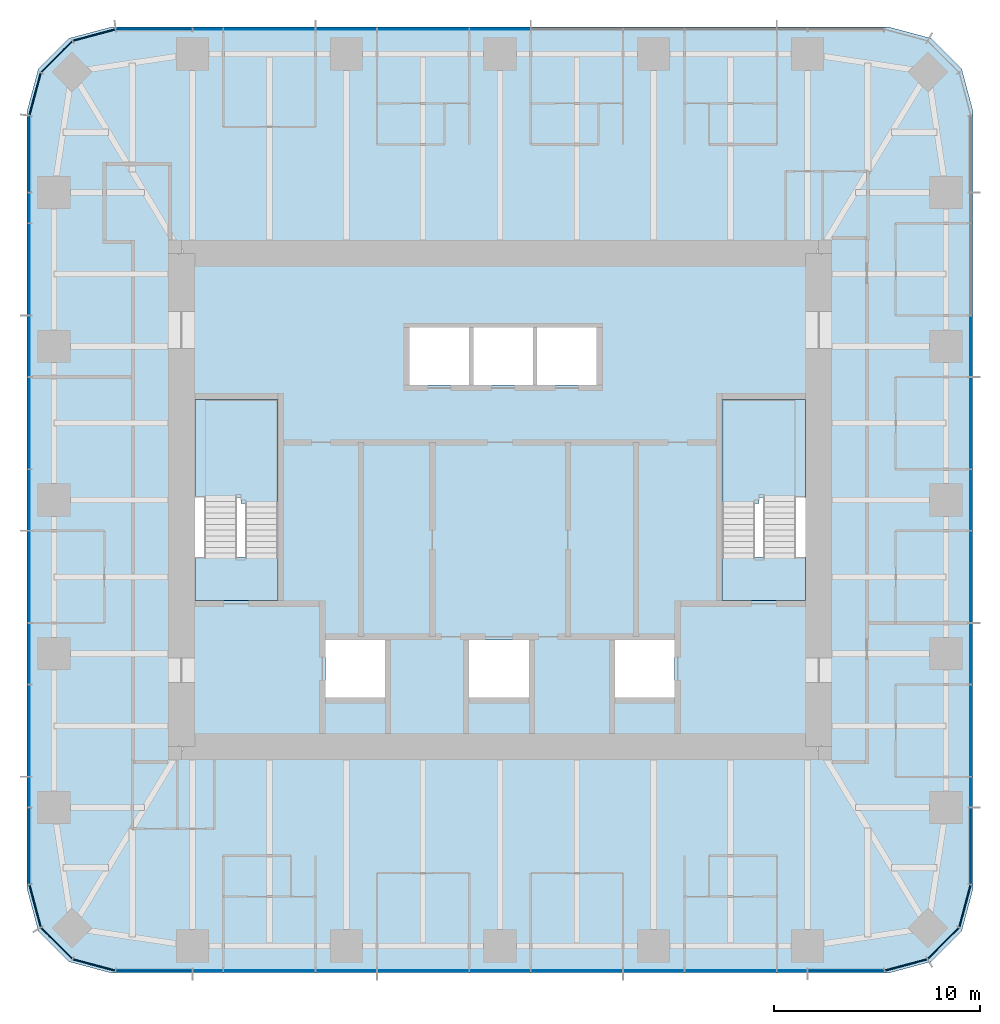
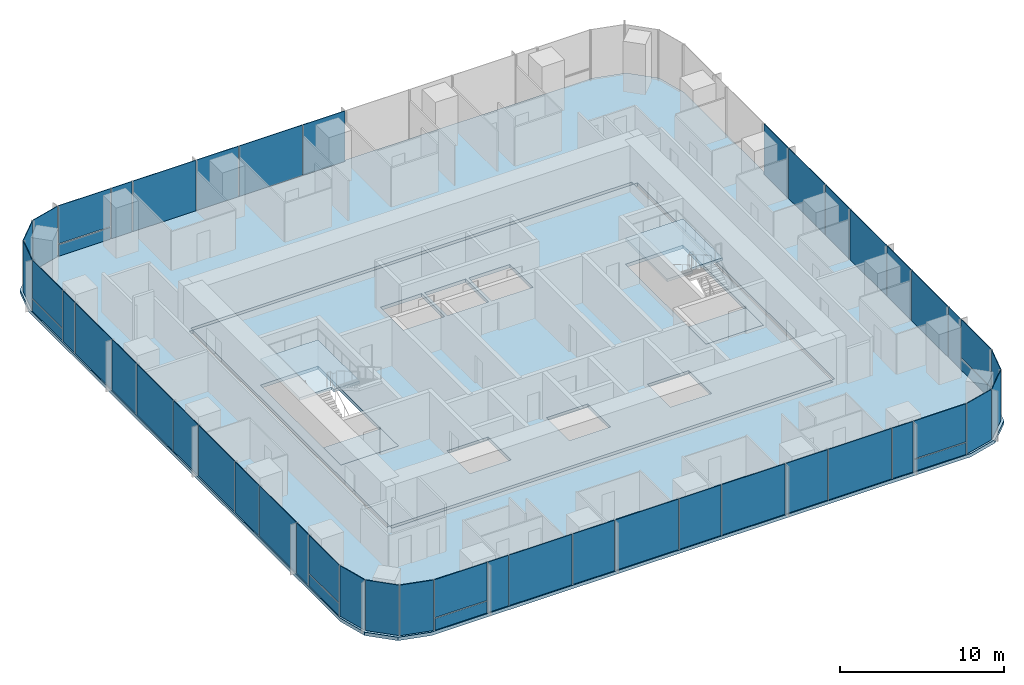
# One storey, part 7 of 12: 51 plates, 6 slabs, 9 elements without a shape of their own.
"""IFC4 building model written with IfcOpenShell, lengths in metres."""

from ifc_helpers import new_model, si_unit, direction, frame, origin, origin_2d, place, context, subcontext, project, spatial, polyline, rectangle, outline, extrude, material, layer, layer_set, type_object, element, aggregate, save


model = new_model("IFC4")

# Units and contexts
model_context = context("Model", 3, precision=1e-05, world=origin(), true_north=direction((0.0, 1.0)))
body_context = subcontext(model_context, "Body", "Model", "MODEL_VIEW")
ifc_project = project(units=[si_unit("LENGTHUNIT", "METRE"), si_unit("AREAUNIT", "SQUARE_METRE"), si_unit("VOLUMEUNIT", "CUBIC_METRE"), si_unit("PLANEANGLEUNIT", "RADIAN"), si_unit("MASSUNIT", "GRAM", prefix="KILO")], contexts=[model_context])

# Site, building, storey
site_placement = place(None, origin())
site = spatial("IfcSite", under=ifc_project, at=site_placement, CompositionType="ELEMENT")
building_placement = place(site_placement, origin())
building = spatial("IfcBuilding", under=site, at=building_placement, Name="Khuree Lantern Residences", CompositionType="ELEMENT")
storey_placement = place(building_placement, frame((0.0, 0.0, 342.0)))
storey = spatial("IfcBuildingStorey", under=building, at=storey_placement, Name="L86", CompositionType="ELEMENT", Elevation=342.0)

# Slab
ifc_material_1 = material(Name="Concrete C35/45", Category="concrete")
ifc_layer_1 = layer(ifc_material_1, 0.25)
ifc_layer_set_1 = layer_set([ifc_layer_1], Name="CFL250 CORE FLOOR SLAB 250")
slab_type_1 = type_object("IfcSlabType", Name="CFL250 CORE FLOOR SLAB 250", PredefinedType="FLOOR", material=ifc_layer_set_1)
slab_1_placement = place(storey_placement, frame((0.0, 0.0, -0.25)))
element("IfcSlab", 1, at=slab_1_placement, inside=storey, type_object=slab_type_1, Name="Core floor L86", PredefinedType="FLOOR", context=body_context, shape_type="SweptSolid", body=[
    extrude(outline(polyline([(-15.5, -12.0), (-15.5, 12.0), (15.5, 12.0), (15.5, -12.0), (-15.5, -12.0)]), holes=[polyline([(10.800048828125, 4.89990234375), (10.800048828125, -4.89990234375), (14.85009765625, -4.89990234375), (14.85009765625, 4.89990234375), (10.800048828125, 4.89990234375)]), polyline([(5.60009765625, -6.800048828125), (5.60009765625, -9.60009765625), (8.5, -9.60009765625), (8.5, -6.800048828125), (5.60009765625, -6.800048828125)]), polyline([(1.800048828125, 8.39990234375), (1.800048828125, 5.60009765625), (4.699951171875, 5.60009765625), (4.699951171875, 8.39990234375), (1.800048828125, 8.39990234375)]), polyline([(-1.300048828125, 8.39990234375), (-1.300048828125, 5.60009765625), (1.60009765625, 5.60009765625), (1.60009765625, 8.39990234375), (-1.300048828125, 8.39990234375)]), polyline([(-1.5, -6.800048828125), (-1.5, -9.60009765625), (1.39990234375, -9.60009765625), (1.39990234375, -6.800048828125), (-1.5, -6.800048828125)]), polyline([(-4.39990234375, 8.39990234375), (-4.39990234375, 5.60009765625), (-1.5, 5.60009765625), (-1.5, 8.39990234375), (-4.39990234375, 8.39990234375)]), polyline([(-8.5, -6.800048828125), (-8.5, -9.60009765625), (-5.60009765625, -9.60009765625), (-5.60009765625, -6.800048828125), (-8.5, -6.800048828125)]), polyline([(-14.85009765625, 4.89990234375), (-14.85009765625, -4.89990234375), (-10.800048828125, -4.89990234375), (-10.800048828125, 4.89990234375), (-14.85009765625, 4.89990234375)])]), origin(), (0.0, 0.0, 1.0), 0.25),
])

# Curtain wall, plates
ifc_material_2 = material(Name="Bronze anodised aluminium", Category="aluminium")
curtain_wall_type_1 = type_object("IfcCurtainWallType", Name="CW-T2 TOWER CORNER CURTAIN WALL", PredefinedType="USERDEFINED", material=ifc_material_2)
curtain_wall_1_placement = place(storey_placement, origin())
curtain_wall_1 = element("IfcCurtainWall", 2, at=curtain_wall_1_placement, inside=storey, type_object=curtain_wall_type_1, Name="L86 SOUTH-EAST CORNER CURTAIN WALL", ObjectType="Faceted corner curtain wall", PredefinedType="USERDEFINED")
ifc_material_3 = material(Name="Bronze tinted triple glazing", Category="glass")
ifc_layer_2 = layer(ifc_material_3, 0.048095703125)
ifc_layer_set_2 = layer_set([ifc_layer_2], Name="FACET PANEL P4")
plate_type_1 = type_object("IfcPlateType", Name="FACET PANEL P4", PredefinedType="CURTAIN_PANEL", material=ifc_layer_set_2)
plate_1_placement = place(storey_placement, frame((19.748046875, -22.619140625, 0.0), z_axis=(0.0, 0.0, 1.0), x_axis=(0.965925861257, 0.2588189146, 0.0)))
plate_1 = element("IfcPlate", 3, at=plate_1_placement, type_object=plate_type_1, Name="L86 SOUTH-EAST CORNER PANEL 1.1", PredefinedType="CURTAIN_PANEL", context=body_context, shape_type="SweptSolid", body=[
    extrude(rectangle(XDim=2.09814453125, YDim=0.048095703125, at=origin_2d()), origin(), (0.0, 0.0, 1.0), 3.75),
])
plate_2_placement = place(storey_placement, frame((21.568603515625, -21.568603515625, 0.0), z_axis=(0.0, 0.0, 1.0), x_axis=(0.707106781187, 0.707106781187, 0.0)))
plate_2 = element("IfcPlate", 4, at=plate_2_placement, type_object=plate_type_1, Name="L86 SOUTH-EAST CORNER PANEL 2.1", PredefinedType="CURTAIN_PANEL", context=body_context, shape_type="SweptSolid", body=[
    extrude(rectangle(XDim=2.093994140625, YDim=0.048095703125, at=origin_2d()), origin(), (0.0, 0.0, 1.0), 3.75),
])
plate_3_placement = place(storey_placement, frame((22.619140625, -19.748046875, 0.0), z_axis=(0.0, 0.0, 1.0), x_axis=(0.2588189146, 0.965925861257, 0.0)))
plate_3 = element("IfcPlate", 5, at=plate_3_placement, type_object=plate_type_1, Name="L86 SOUTH-EAST CORNER PANEL 3.1", PredefinedType="CURTAIN_PANEL", context=body_context, shape_type="SweptSolid", body=[
    extrude(rectangle(XDim=2.09814453125, YDim=0.048095703125, at=origin_2d()), origin(), (0.0, 0.0, 1.0), 3.75),
])
aggregate(curtain_wall_1, [plate_1, plate_2, plate_3])

curtain_wall_2_placement = place(storey_placement, origin())
curtain_wall_2 = element("IfcCurtainWall", 6, at=curtain_wall_2_placement, inside=storey, type_object=curtain_wall_type_1, Name="L86 NORTH-WEST CORNER CURTAIN WALL", ObjectType="Faceted corner curtain wall", PredefinedType="USERDEFINED")
plate_4_placement = place(storey_placement, frame((-19.748046875, 22.619140625, 0.0), z_axis=(0.0, 0.0, 1.0), x_axis=(-0.965925861257, -0.2588189146, 0.0)))
plate_4 = element("IfcPlate", 7, at=plate_4_placement, type_object=plate_type_1, Name="L86 NORTH-WEST CORNER PANEL 29.1", PredefinedType="CURTAIN_PANEL", context=body_context, shape_type="SweptSolid", body=[
    extrude(rectangle(XDim=2.09814453125, YDim=0.048095703125, at=origin_2d()), origin(), (0.0, 0.0, 1.0), 3.75),
])
plate_5_placement = place(storey_placement, frame((-21.568603515625, 21.568603515625, 0.0), z_axis=(0.0, 0.0, 1.0), x_axis=(-0.707106781187, -0.707106781187, 0.0)))
plate_5 = element("IfcPlate", 8, at=plate_5_placement, type_object=plate_type_1, Name="L86 NORTH-WEST CORNER PANEL 30.1", PredefinedType="CURTAIN_PANEL", context=body_context, shape_type="SweptSolid", body=[
    extrude(rectangle(XDim=2.093994140625, YDim=0.048095703125, at=origin_2d()), origin(), (0.0, 0.0, 1.0), 3.75),
])
plate_6_placement = place(storey_placement, frame((-22.619140625, 19.748046875, 0.0), z_axis=(0.0, 0.0, 1.0), x_axis=(-0.2588189146, -0.965925861257, 0.0)))
plate_6 = element("IfcPlate", 9, at=plate_6_placement, type_object=plate_type_1, Name="L86 NORTH-WEST CORNER PANEL 31.1", PredefinedType="CURTAIN_PANEL", context=body_context, shape_type="SweptSolid", body=[
    extrude(rectangle(XDim=2.09814453125, YDim=0.048095703125, at=origin_2d()), origin(), (0.0, 0.0, 1.0), 3.75),
])
aggregate(curtain_wall_2, [plate_4, plate_5, plate_6])

curtain_wall_3_placement = place(storey_placement, origin())
curtain_wall_3 = element("IfcCurtainWall", 10, at=curtain_wall_3_placement, inside=storey, type_object=curtain_wall_type_1, Name="L86 SOUTH-WEST CORNER CURTAIN WALL", ObjectType="Faceted corner curtain wall", PredefinedType="USERDEFINED")
plate_7_placement = place(storey_placement, frame((-22.619140625, -19.748046875, 0.0), z_axis=(0.0, 0.0, 1.0), x_axis=(0.2588189146, -0.965925861257, 0.0)))
plate_7 = element("IfcPlate", 11, at=plate_7_placement, type_object=plate_type_1, Name="L86 SOUTH-WEST CORNER PANEL 43.1", PredefinedType="CURTAIN_PANEL", context=body_context, shape_type="SweptSolid", body=[
    extrude(rectangle(XDim=2.09814453125, YDim=0.048095703125, at=origin_2d()), origin(), (0.0, 0.0, 1.0), 3.75),
])
plate_8_placement = place(storey_placement, frame((-21.568603515625, -21.568603515625, 0.0), z_axis=(0.0, 0.0, 1.0), x_axis=(0.707106781187, -0.707106781187, 0.0)))
plate_8 = element("IfcPlate", 12, at=plate_8_placement, type_object=plate_type_1, Name="L86 SOUTH-WEST CORNER PANEL 44.1", PredefinedType="CURTAIN_PANEL", context=body_context, shape_type="SweptSolid", body=[
    extrude(rectangle(XDim=2.093994140625, YDim=0.048095703125, at=origin_2d()), origin(), (0.0, 0.0, 1.0), 3.75),
])
plate_9_placement = place(storey_placement, frame((-19.748046875, -22.619140625, 0.0), z_axis=(0.0, 0.0, 1.0), x_axis=(0.965925861257, -0.2588189146, 0.0)))
plate_9 = element("IfcPlate", 13, at=plate_9_placement, type_object=plate_type_1, Name="L86 SOUTH-WEST CORNER PANEL 45.1", PredefinedType="CURTAIN_PANEL", context=body_context, shape_type="SweptSolid", body=[
    extrude(rectangle(XDim=2.09814453125, YDim=0.048095703125, at=origin_2d()), origin(), (0.0, 0.0, 1.0), 3.75),
])
aggregate(curtain_wall_3, [plate_7, plate_8, plate_9])

curtain_wall_type_2 = type_object("IfcCurtainWallType", Name="CW-T1 TOWER FACE CURTAIN WALL", PredefinedType="USERDEFINED", material=ifc_material_2)
curtain_wall_4_placement = place(storey_placement, origin())
curtain_wall_4 = element("IfcCurtainWall", 14, at=curtain_wall_4_placement, inside=storey, type_object=curtain_wall_type_2, Name="L86 EAST FACE CURTAIN WALL", ObjectType="Stick-built curtain wall", PredefinedType="USERDEFINED")
ifc_material_4 = material(Name="Bronze tinted triple glazing with a ceramic-fritted spandrel band", Category="glass")
ifc_layer_3 = layer(ifc_material_4, 0.048095703125)
ifc_layer_set_3 = layer_set([ifc_layer_3], Name="FIXED LIGHT PANEL P11")
plate_type_2 = type_object("IfcPlateType", Name="FIXED LIGHT PANEL P11", PredefinedType="CURTAIN_PANEL", material=ifc_layer_set_3)
plate_10_placement = place(storey_placement, frame((22.89990234375, -11.219970703125, 0.0), z_axis=(0.0, 0.0, 1.0), x_axis=(0.0, 1.0, 0.0)))
plate_10 = element("IfcPlate", 15, at=plate_10_placement, type_object=plate_type_2, Name="L86 EAST FACE PANEL 6.1", PredefinedType="CURTAIN_PANEL", context=body_context, shape_type="SweptSolid", body=[
    extrude(rectangle(XDim=4.423095703125, YDim=0.048095703125, at=origin_2d()), origin(), (0.0, 0.0, 1.0), 3.75),
])
plate_11_placement = place(storey_placement, frame((22.89990234375, -3.739990234375, 0.0), z_axis=(0.0, 0.0, 1.0), x_axis=(0.0, 1.0, 0.0)))
plate_11 = element("IfcPlate", 16, at=plate_11_placement, type_object=plate_type_2, Name="L86 EAST FACE PANEL 8.1", PredefinedType="CURTAIN_PANEL", context=body_context, shape_type="SweptSolid", body=[
    extrude(rectangle(XDim=4.423095703125, YDim=0.048095703125, at=origin_2d()), origin(), (0.0, 0.0, 1.0), 3.75),
])
plate_12_placement = place(storey_placement, frame((22.89990234375, 3.739990234375, 0.0), z_axis=(0.0, 0.0, 1.0), x_axis=(0.0, 1.0, 0.0)))
plate_12 = element("IfcPlate", 17, at=plate_12_placement, type_object=plate_type_2, Name="L86 EAST FACE PANEL 10.1", PredefinedType="CURTAIN_PANEL", context=body_context, shape_type="SweptSolid", body=[
    extrude(rectangle(XDim=4.423095703125, YDim=0.048095703125, at=origin_2d()), origin(), (0.0, 0.0, 1.0), 3.75),
])

curtain_wall_5_placement = place(storey_placement, origin())
curtain_wall_5 = element("IfcCurtainWall", 18, at=curtain_wall_5_placement, inside=storey, type_object=curtain_wall_type_2, Name="L86 NORTH FACE CURTAIN WALL", ObjectType="Stick-built curtain wall", PredefinedType="USERDEFINED")
plate_13_placement = place(storey_placement, frame((-3.739990234375, 22.89990234375, 0.0), z_axis=(0.0, 0.0, 1.0), x_axis=(-1.0, 0.0, 0.0)))
plate_13 = element("IfcPlate", 19, at=plate_13_placement, type_object=plate_type_2, Name="L86 NORTH FACE PANEL 24.1", PredefinedType="CURTAIN_PANEL", context=body_context, shape_type="SweptSolid", body=[
    extrude(rectangle(XDim=4.423095703125, YDim=0.048095703125, at=origin_2d()), origin(), (0.0, 0.0, 1.0), 3.75),
])
plate_14_placement = place(storey_placement, frame((-11.219970703125, 22.89990234375, 0.0), z_axis=(0.0, 0.0, 1.0), x_axis=(-1.0, 0.0, 0.0)))
plate_14 = element("IfcPlate", 20, at=plate_14_placement, type_object=plate_type_2, Name="L86 NORTH FACE PANEL 26.1", PredefinedType="CURTAIN_PANEL", context=body_context, shape_type="SweptSolid", body=[
    extrude(rectangle(XDim=4.423095703125, YDim=0.048095703125, at=origin_2d()), origin(), (0.0, 0.0, 1.0), 3.75),
])

curtain_wall_6_placement = place(storey_placement, origin())
curtain_wall_6 = element("IfcCurtainWall", 21, at=curtain_wall_6_placement, inside=storey, type_object=curtain_wall_type_2, Name="L86 WEST FACE CURTAIN WALL", ObjectType="Stick-built curtain wall", PredefinedType="USERDEFINED")
plate_15_placement = place(storey_placement, frame((-22.89990234375, 11.219970703125, 0.0), z_axis=(0.0, 0.0, 1.0), x_axis=(0.0, -1.0, 0.0)))
plate_15 = element("IfcPlate", 22, at=plate_15_placement, type_object=plate_type_2, Name="L86 WEST FACE PANEL 34.1", PredefinedType="CURTAIN_PANEL", context=body_context, shape_type="SweptSolid", body=[
    extrude(rectangle(XDim=4.423095703125, YDim=0.048095703125, at=origin_2d()), origin(), (0.0, 0.0, 1.0), 3.75),
])
plate_16_placement = place(storey_placement, frame((-22.89990234375, 3.739990234375, 0.0), z_axis=(0.0, 0.0, 1.0), x_axis=(0.0, -1.0, 0.0)))
plate_16 = element("IfcPlate", 23, at=plate_16_placement, type_object=plate_type_2, Name="L86 WEST FACE PANEL 36.1", PredefinedType="CURTAIN_PANEL", context=body_context, shape_type="SweptSolid", body=[
    extrude(rectangle(XDim=4.423095703125, YDim=0.048095703125, at=origin_2d()), origin(), (0.0, 0.0, 1.0), 3.75),
])
plate_17_placement = place(storey_placement, frame((-22.89990234375, -3.739990234375, 0.0), z_axis=(0.0, 0.0, 1.0), x_axis=(0.0, -1.0, 0.0)))
plate_17 = element("IfcPlate", 24, at=plate_17_placement, type_object=plate_type_2, Name="L86 WEST FACE PANEL 38.1", PredefinedType="CURTAIN_PANEL", context=body_context, shape_type="SweptSolid", body=[
    extrude(rectangle(XDim=4.423095703125, YDim=0.048095703125, at=origin_2d()), origin(), (0.0, 0.0, 1.0), 3.75),
])
plate_18_placement = place(storey_placement, frame((-22.89990234375, -11.219970703125, 0.0), z_axis=(0.0, 0.0, 1.0), x_axis=(0.0, -1.0, 0.0)))
plate_18 = element("IfcPlate", 25, at=plate_18_placement, type_object=plate_type_2, Name="L86 WEST FACE PANEL 40.1", PredefinedType="CURTAIN_PANEL", context=body_context, shape_type="SweptSolid", body=[
    extrude(rectangle(XDim=4.423095703125, YDim=0.048095703125, at=origin_2d()), origin(), (0.0, 0.0, 1.0), 3.75),
])

curtain_wall_7_placement = place(storey_placement, origin())
curtain_wall_7 = element("IfcCurtainWall", 26, at=curtain_wall_7_placement, inside=storey, type_object=curtain_wall_type_2, Name="L86 SOUTH FACE CURTAIN WALL", ObjectType="Stick-built curtain wall", PredefinedType="USERDEFINED")
plate_19_placement = place(storey_placement, frame((-11.219970703125, -22.89990234375, 0.0), z_axis=(0.0, 0.0, 1.0), x_axis=(1.0, 0.0, 0.0)))
plate_19 = element("IfcPlate", 27, at=plate_19_placement, type_object=plate_type_2, Name="L86 SOUTH FACE PANEL 48.1", PredefinedType="CURTAIN_PANEL", context=body_context, shape_type="SweptSolid", body=[
    extrude(rectangle(XDim=4.423095703125, YDim=0.048095703125, at=origin_2d()), origin(), (0.0, 0.0, 1.0), 3.75),
])
plate_20_placement = place(storey_placement, frame((-3.739990234375, -22.89990234375, 0.0), z_axis=(0.0, 0.0, 1.0), x_axis=(1.0, 0.0, 0.0)))
plate_20 = element("IfcPlate", 28, at=plate_20_placement, type_object=plate_type_2, Name="L86 SOUTH FACE PANEL 50.1", PredefinedType="CURTAIN_PANEL", context=body_context, shape_type="SweptSolid", body=[
    extrude(rectangle(XDim=4.423095703125, YDim=0.048095703125, at=origin_2d()), origin(), (0.0, 0.0, 1.0), 3.75),
])
plate_21_placement = place(storey_placement, frame((3.739990234375, -22.89990234375, 0.0), z_axis=(0.0, 0.0, 1.0), x_axis=(1.0, 0.0, 0.0)))
plate_21 = element("IfcPlate", 29, at=plate_21_placement, type_object=plate_type_2, Name="L86 SOUTH FACE PANEL 52.1", PredefinedType="CURTAIN_PANEL", context=body_context, shape_type="SweptSolid", body=[
    extrude(rectangle(XDim=4.423095703125, YDim=0.048095703125, at=origin_2d()), origin(), (0.0, 0.0, 1.0), 3.75),
])
plate_22_placement = place(storey_placement, frame((11.219970703125, -22.89990234375, 0.0), z_axis=(0.0, 0.0, 1.0), x_axis=(1.0, 0.0, 0.0)))
plate_22 = element("IfcPlate", 30, at=plate_22_placement, type_object=plate_type_2, Name="L86 SOUTH FACE PANEL 54.1", PredefinedType="CURTAIN_PANEL", context=body_context, shape_type="SweptSolid", body=[
    extrude(rectangle(XDim=4.423095703125, YDim=0.048095703125, at=origin_2d()), origin(), (0.0, 0.0, 1.0), 3.75),
])

# Slab
ifc_layer_4 = layer(ifc_material_1, 0.25)
ifc_layer_set_4 = layer_set([ifc_layer_4], Name="FS250 FLOOR SLAB 250")
slab_type_2 = type_object("IfcSlabType", Name="FS250 FLOOR SLAB 250", PredefinedType="FLOOR", material=ifc_layer_set_4)
slab_2_placement = place(storey_placement, frame((0.0, 0.0, -0.25)))
element("IfcSlab", 31, at=slab_2_placement, inside=storey, type_object=slab_type_2, Name="Floor slab L86", PredefinedType="FLOOR", context=body_context, shape_type="SweptSolid", body=[
    extrude(outline(polyline([(-20.97509765625, -22.45751953125), (-22.45751953125, -20.97509765625), (-23.0, -18.949951171875), (-23.0, 18.949951171875), (-22.45751953125, 20.97509765625), (-20.97509765625, 22.45751953125), (-18.949951171875, 23.0), (18.949951171875, 23.0), (20.97509765625, 22.45751953125), (22.45751953125, 20.97509765625), (23.0, 18.949951171875), (23.0, -18.949951171875), (22.45751953125, -20.97509765625), (20.97509765625, -22.45751953125), (18.949951171875, -23.0), (-18.949951171875, -23.0), (-20.97509765625, -22.45751953125)]), holes=[polyline([(15.75, 12.0), (15.5, 12.0), (15.5, 12.25), (-15.5, 12.25), (-15.5, 12.0), (-15.75, 12.0), (-15.75, -12.0), (-15.5, -12.0), (-15.5, -12.25), (15.5, -12.25), (15.5, -12.0), (15.75, -12.0), (15.75, 12.0)])]), origin(), (0.0, 0.0, 1.0), 0.25),
])

# Plate
ifc_material_5 = material(Name="Bronze tinted triple glazing, two aluminium-framed sashes in one frame", Category="aluminium")
ifc_layer_5 = layer(ifc_material_5, 0.048095703125)
ifc_layer_set_5 = layer_set([ifc_layer_5], Name="SASH PAIR PANEL P12")
plate_type_3 = type_object("IfcPlateType", Name="SASH PAIR PANEL P12", PredefinedType="CURTAIN_PANEL", material=ifc_layer_set_5)
plate_23_placement = place(storey_placement, frame((22.89990234375, -7.47998046875, 0.0), z_axis=(0.0, 0.0, 1.0), x_axis=(0.0, 1.0, 0.0)))
plate_23 = element("IfcPlate", 32, at=plate_23_placement, type_object=plate_type_3, Name="L86 EAST FACE PANEL 7.1", PredefinedType="CURTAIN_PANEL", context=body_context, shape_type="SweptSolid", body=[
    extrude(rectangle(XDim=2.927001953125, YDim=0.048095703125, at=origin_2d()), origin(), (0.0, 0.0, 1.0), 3.75),
])

plate_24_placement = place(storey_placement, frame((22.89990234375, 0.0, 0.0), z_axis=(0.0, 0.0, 1.0), x_axis=(0.0, 1.0, 0.0)))
plate_24 = element("IfcPlate", 33, at=plate_24_placement, type_object=plate_type_3, Name="L86 EAST FACE PANEL 9.1", PredefinedType="CURTAIN_PANEL", context=body_context, shape_type="SweptSolid", body=[
    extrude(rectangle(XDim=2.927001953125, YDim=0.048095703125, at=origin_2d()), origin(), (0.0, 0.0, 1.0), 3.75),
])

plate_25_placement = place(storey_placement, frame((22.89990234375, 7.47998046875, 0.0), z_axis=(0.0, 0.0, 1.0), x_axis=(0.0, 1.0, 0.0)))
plate_25 = element("IfcPlate", 34, at=plate_25_placement, type_object=plate_type_3, Name="L86 EAST FACE PANEL 11.1", PredefinedType="CURTAIN_PANEL", context=body_context, shape_type="SweptSolid", body=[
    extrude(rectangle(XDim=2.927001953125, YDim=0.048095703125, at=origin_2d()), origin(), (0.0, 0.0, 1.0), 3.75),
])

plate_26_placement = place(storey_placement, frame((0.0, 22.89990234375, 0.0), z_axis=(0.0, 0.0, 1.0), x_axis=(-1.0, 0.0, 0.0)))
plate_26 = element("IfcPlate", 35, at=plate_26_placement, type_object=plate_type_3, Name="L86 NORTH FACE PANEL 23.1", PredefinedType="CURTAIN_PANEL", context=body_context, shape_type="SweptSolid", body=[
    extrude(rectangle(XDim=2.927001953125, YDim=0.048095703125, at=origin_2d()), origin(), (0.0, 0.0, 1.0), 3.75),
])

plate_27_placement = place(storey_placement, frame((-7.47998046875, 22.89990234375, 0.0), z_axis=(0.0, 0.0, 1.0), x_axis=(-1.0, 0.0, 0.0)))
plate_27 = element("IfcPlate", 36, at=plate_27_placement, type_object=plate_type_3, Name="L86 NORTH FACE PANEL 25.1", PredefinedType="CURTAIN_PANEL", context=body_context, shape_type="SweptSolid", body=[
    extrude(rectangle(XDim=2.927001953125, YDim=0.048095703125, at=origin_2d()), origin(), (0.0, 0.0, 1.0), 3.75),
])

plate_28_placement = place(storey_placement, frame((-22.89990234375, 7.47998046875, 0.0), z_axis=(0.0, 0.0, 1.0), x_axis=(0.0, -1.0, 0.0)))
plate_28 = element("IfcPlate", 37, at=plate_28_placement, type_object=plate_type_3, Name="L86 WEST FACE PANEL 35.1", PredefinedType="CURTAIN_PANEL", context=body_context, shape_type="SweptSolid", body=[
    extrude(rectangle(XDim=2.927001953125, YDim=0.048095703125, at=origin_2d()), origin(), (0.0, 0.0, 1.0), 3.75),
])

plate_29_placement = place(storey_placement, frame((-22.89990234375, 0.0, 0.0), z_axis=(0.0, 0.0, 1.0), x_axis=(0.0, -1.0, 0.0)))
plate_29 = element("IfcPlate", 38, at=plate_29_placement, type_object=plate_type_3, Name="L86 WEST FACE PANEL 37.1", PredefinedType="CURTAIN_PANEL", context=body_context, shape_type="SweptSolid", body=[
    extrude(rectangle(XDim=2.927001953125, YDim=0.048095703125, at=origin_2d()), origin(), (0.0, 0.0, 1.0), 3.75),
])

plate_30_placement = place(storey_placement, frame((-22.89990234375, -7.47998046875, 0.0), z_axis=(0.0, 0.0, 1.0), x_axis=(0.0, -1.0, 0.0)))
plate_30 = element("IfcPlate", 39, at=plate_30_placement, type_object=plate_type_3, Name="L86 WEST FACE PANEL 39.1", PredefinedType="CURTAIN_PANEL", context=body_context, shape_type="SweptSolid", body=[
    extrude(rectangle(XDim=2.927001953125, YDim=0.048095703125, at=origin_2d()), origin(), (0.0, 0.0, 1.0), 3.75),
])

plate_31_placement = place(storey_placement, frame((-7.47998046875, -22.89990234375, 0.0), z_axis=(0.0, 0.0, 1.0), x_axis=(1.0, 0.0, 0.0)))
plate_31 = element("IfcPlate", 40, at=plate_31_placement, type_object=plate_type_3, Name="L86 SOUTH FACE PANEL 49.1", PredefinedType="CURTAIN_PANEL", context=body_context, shape_type="SweptSolid", body=[
    extrude(rectangle(XDim=2.927001953125, YDim=0.048095703125, at=origin_2d()), origin(), (0.0, 0.0, 1.0), 3.75),
])

plate_32_placement = place(storey_placement, frame((0.0, -22.89990234375, 0.0), z_axis=(0.0, 0.0, 1.0), x_axis=(1.0, 0.0, 0.0)))
plate_32 = element("IfcPlate", 41, at=plate_32_placement, type_object=plate_type_3, Name="L86 SOUTH FACE PANEL 51.1", PredefinedType="CURTAIN_PANEL", context=body_context, shape_type="SweptSolid", body=[
    extrude(rectangle(XDim=2.927001953125, YDim=0.048095703125, at=origin_2d()), origin(), (0.0, 0.0, 1.0), 3.75),
])

plate_33_placement = place(storey_placement, frame((7.47998046875, -22.89990234375, 0.0), z_axis=(0.0, 0.0, 1.0), x_axis=(1.0, 0.0, 0.0)))
plate_33 = element("IfcPlate", 42, at=plate_33_placement, type_object=plate_type_3, Name="L86 SOUTH FACE PANEL 53.1", PredefinedType="CURTAIN_PANEL", context=body_context, shape_type="SweptSolid", body=[
    extrude(rectangle(XDim=2.927001953125, YDim=0.048095703125, at=origin_2d()), origin(), (0.0, 0.0, 1.0), 3.75),
])

ifc_material_6 = material(Name="Bronze tinted triple glazing, aluminium-framed sash", Category="aluminium")
ifc_layer_6 = layer(ifc_material_6, 0.048095703125)
ifc_layer_set_6 = layer_set([ifc_layer_6], Name="SASH PANEL P3")
plate_type_4 = type_object("IfcPlateType", Name="SASH PANEL P3", PredefinedType="CURTAIN_PANEL", material=ifc_layer_set_6)
plate_34_placement = place(storey_placement, frame((22.89990234375, -14.2119140625, 0.0), z_axis=(0.0, 0.0, 1.0), x_axis=(0.0, 1.0, 0.0)))
plate_34 = element("IfcPlate", 43, at=plate_34_placement, type_object=plate_type_4, Name="L86 EAST FACE PANEL 5.1", PredefinedType="CURTAIN_PANEL", context=body_context, shape_type="SweptSolid", body=[
    extrude(rectangle(XDim=1.430908203125, YDim=0.048095703125, at=origin_2d()), origin(), (0.0, 0.0, 1.0), 3.75),
])

plate_35_placement = place(storey_placement, frame((-14.2119140625, 22.89990234375, 0.0), z_axis=(0.0, 0.0, 1.0), x_axis=(-1.0, 0.0, 0.0)))
plate_35 = element("IfcPlate", 44, at=plate_35_placement, type_object=plate_type_4, Name="L86 NORTH FACE PANEL 27.1", PredefinedType="CURTAIN_PANEL", context=body_context, shape_type="SweptSolid", body=[
    extrude(rectangle(XDim=1.430908203125, YDim=0.048095703125, at=origin_2d()), origin(), (0.0, 0.0, 1.0), 3.75),
])

plate_36_placement = place(storey_placement, frame((-22.89990234375, 14.2119140625, 0.0), z_axis=(0.0, 0.0, 1.0), x_axis=(0.0, -1.0, 0.0)))
plate_36 = element("IfcPlate", 45, at=plate_36_placement, type_object=plate_type_4, Name="L86 WEST FACE PANEL 33.1", PredefinedType="CURTAIN_PANEL", context=body_context, shape_type="SweptSolid", body=[
    extrude(rectangle(XDim=1.430908203125, YDim=0.048095703125, at=origin_2d()), origin(), (0.0, 0.0, 1.0), 3.75),
])

plate_37_placement = place(storey_placement, frame((-22.89990234375, -14.2119140625, 0.0), z_axis=(0.0, 0.0, 1.0), x_axis=(0.0, -1.0, 0.0)))
plate_37 = element("IfcPlate", 46, at=plate_37_placement, type_object=plate_type_4, Name="L86 WEST FACE PANEL 41.1", PredefinedType="CURTAIN_PANEL", context=body_context, shape_type="SweptSolid", body=[
    extrude(rectangle(XDim=1.430908203125, YDim=0.048095703125, at=origin_2d()), origin(), (0.0, 0.0, 1.0), 3.75),
])

plate_38_placement = place(storey_placement, frame((-14.2119140625, -22.89990234375, 0.0), z_axis=(0.0, 0.0, 1.0), x_axis=(1.0, 0.0, 0.0)))
plate_38 = element("IfcPlate", 47, at=plate_38_placement, type_object=plate_type_4, Name="L86 SOUTH FACE PANEL 47.1", PredefinedType="CURTAIN_PANEL", context=body_context, shape_type="SweptSolid", body=[
    extrude(rectangle(XDim=1.430908203125, YDim=0.048095703125, at=origin_2d()), origin(), (0.0, 0.0, 1.0), 3.75),
])

plate_39_placement = place(storey_placement, frame((14.2119140625, -22.89990234375, 0.0), z_axis=(0.0, 0.0, 1.0), x_axis=(1.0, 0.0, 0.0)))
plate_39 = element("IfcPlate", 48, at=plate_39_placement, type_object=plate_type_4, Name="L86 SOUTH FACE PANEL 55.1", PredefinedType="CURTAIN_PANEL", context=body_context, shape_type="SweptSolid", body=[
    extrude(rectangle(XDim=1.430908203125, YDim=0.048095703125, at=origin_2d()), origin(), (0.0, 0.0, 1.0), 3.75),
])

ifc_material_7 = material(Name="Bronze anodised aluminium insulated spandrel", Category="aluminium")
ifc_layer_7 = layer(ifc_material_7, 0.06005859375)
ifc_layer_set_7 = layer_set([ifc_layer_7], Name="SPANDREL PANEL P2")
plate_type_5 = type_object("IfcPlateType", Name="SPANDREL PANEL P2", PredefinedType="CURTAIN_PANEL", material=ifc_layer_set_7)
plate_40_placement = place(storey_placement, frame((22.89990234375, -16.827880859375, 0.0), z_axis=(0.0, 0.0, 1.0), x_axis=(0.0, 1.0, 0.0)))
plate_40 = element("IfcPlate", 49, at=plate_40_placement, type_object=plate_type_5, Name="L86 EAST FACE PANEL 4.1", PredefinedType="CURTAIN_PANEL", context=body_context, shape_type="SweptSolid", body=[
    extrude(rectangle(XDim=3.670654296875, YDim=0.06005859375, at=origin_2d()), origin(), (0.0, 0.0, 1.0), 0.867431640625),
])

plate_41_placement = place(storey_placement, frame((-16.827880859375, 22.89990234375, 0.0), z_axis=(0.0, 0.0, 1.0), x_axis=(-1.0, 0.0, 0.0)))
plate_41 = element("IfcPlate", 50, at=plate_41_placement, type_object=plate_type_5, Name="L86 NORTH FACE PANEL 28.1", PredefinedType="CURTAIN_PANEL", context=body_context, shape_type="SweptSolid", body=[
    extrude(rectangle(XDim=3.670654296875, YDim=0.06005859375, at=origin_2d()), origin(), (0.0, 0.0, 1.0), 0.867431640625),
])

plate_42_placement = place(storey_placement, frame((-22.89990234375, 16.827880859375, 0.0), z_axis=(0.0, 0.0, 1.0), x_axis=(0.0, -1.0, 0.0)))
plate_42 = element("IfcPlate", 51, at=plate_42_placement, type_object=plate_type_5, Name="L86 WEST FACE PANEL 32.1", PredefinedType="CURTAIN_PANEL", context=body_context, shape_type="SweptSolid", body=[
    extrude(rectangle(XDim=3.670654296875, YDim=0.06005859375, at=origin_2d()), origin(), (0.0, 0.0, 1.0), 0.867431640625),
])

plate_43_placement = place(storey_placement, frame((-22.89990234375, -16.827880859375, 0.0), z_axis=(0.0, 0.0, 1.0), x_axis=(0.0, -1.0, 0.0)))
plate_43 = element("IfcPlate", 52, at=plate_43_placement, type_object=plate_type_5, Name="L86 WEST FACE PANEL 42.1", PredefinedType="CURTAIN_PANEL", context=body_context, shape_type="SweptSolid", body=[
    extrude(rectangle(XDim=3.670654296875, YDim=0.06005859375, at=origin_2d()), origin(), (0.0, 0.0, 1.0), 0.867431640625),
])

plate_44_placement = place(storey_placement, frame((-16.827880859375, -22.89990234375, 0.0), z_axis=(0.0, 0.0, 1.0), x_axis=(1.0, 0.0, 0.0)))
plate_44 = element("IfcPlate", 53, at=plate_44_placement, type_object=plate_type_5, Name="L86 SOUTH FACE PANEL 46.1", PredefinedType="CURTAIN_PANEL", context=body_context, shape_type="SweptSolid", body=[
    extrude(rectangle(XDim=3.670654296875, YDim=0.06005859375, at=origin_2d()), origin(), (0.0, 0.0, 1.0), 0.867431640625),
])

plate_45_placement = place(storey_placement, frame((16.827880859375, -22.89990234375, 0.0), z_axis=(0.0, 0.0, 1.0), x_axis=(1.0, 0.0, 0.0)))
plate_45 = element("IfcPlate", 54, at=plate_45_placement, type_object=plate_type_5, Name="L86 SOUTH FACE PANEL 56.1", PredefinedType="CURTAIN_PANEL", context=body_context, shape_type="SweptSolid", body=[
    extrude(rectangle(XDim=3.670654296875, YDim=0.06005859375, at=origin_2d()), origin(), (0.0, 0.0, 1.0), 0.867431640625),
])

# Stair, slabs
ifc_material_8 = material(Name="Concrete C40/50", Category="concrete")
stair_type = type_object("IfcStairType", Name="STAIR ST1 HALF TURN 3600", PredefinedType="HALF_TURN_STAIR", material=ifc_material_8)
stair_1_placement = place(storey_placement, origin())
stair_1 = element("IfcStair", 55, at=stair_1_placement, inside=storey, type_object=stair_type, Name="Stair ST1", PredefinedType="HALF_TURN_STAIR")
ifc_layer_8 = layer(ifc_material_8, 0.199951171875)
ifc_layer_set_8 = layer_set([ifc_layer_8], Name="STAIR LANDING SL1 200")
slab_type_3 = type_object("IfcSlabType", Name="STAIR LANDING SL1 200", PredefinedType="LANDING", material=ifc_layer_set_8)
slab_3_placement = place(storey_placement, frame((0.0, 0.0, -0.199951171875)))
slab_3 = element("IfcSlab", 56, at=slab_3_placement, type_object=slab_type_3, Name="ST1 landing 1", PredefinedType="LANDING", context=body_context, shape_type="SweptSolid", body=[
    extrude(outline(polyline([(-14.85009765625, -4.89990234375), (-10.800048828125, -4.89990234375), (-10.800048828125, -2.760009765625), (-14.85009765625, -2.760009765625), (-14.85009765625, -4.89990234375)])), origin(), (0.0, 0.0, 1.0), 0.199951171875),
])
slab_4_placement = place(storey_placement, frame((0.0, 0.0, 1.756591796875)))
slab_4 = element("IfcSlab", 57, at=slab_4_placement, type_object=slab_type_3, Name="ST1 landing 2", PredefinedType="LANDING", context=body_context, shape_type="SweptSolid", body=[
    extrude(outline(polyline([(-14.85009765625, 0.1201171875), (-14.85009765625, 4.89990234375), (-10.800048828125, 4.89990234375), (-10.800048828125, -0.159912109375), (-12.60009765625, -0.159912109375), (-12.60009765625, 0.1201171875), (-14.85009765625, 0.1201171875)])), origin(), (0.0, 0.0, 1.0), 0.199951171875),
])
aggregate(stair_1, [slab_3, slab_4])

stair_2_placement = place(storey_placement, origin())
stair_2 = element("IfcStair", 58, at=stair_2_placement, inside=storey, type_object=stair_type, Name="Stair ST2", PredefinedType="HALF_TURN_STAIR")
slab_5_placement = place(storey_placement, frame((0.0, 0.0, -0.199951171875)))
slab_5 = element("IfcSlab", 59, at=slab_5_placement, type_object=slab_type_3, Name="ST2 landing 1", PredefinedType="LANDING", context=body_context, shape_type="SweptSolid", body=[
    extrude(outline(polyline([(10.800048828125, -4.89990234375), (14.85009765625, -4.89990234375), (14.85009765625, -2.760009765625), (10.800048828125, -2.760009765625), (10.800048828125, -4.89990234375)])), origin(), (0.0, 0.0, 1.0), 0.199951171875),
])
slab_6_placement = place(storey_placement, frame((0.0, 0.0, 1.756591796875)))
slab_6 = element("IfcSlab", 60, at=slab_6_placement, type_object=slab_type_3, Name="ST2 landing 2", PredefinedType="LANDING", context=body_context, shape_type="SweptSolid", body=[
    extrude(outline(polyline([(14.85009765625, 4.89990234375), (14.85009765625, 0.1201171875), (12.60009765625, 0.1201171875), (12.60009765625, -0.159912109375), (10.800048828125, -0.159912109375), (10.800048828125, 4.89990234375), (14.85009765625, 4.89990234375)])), origin(), (0.0, 0.0, 1.0), 0.199951171875),
])
aggregate(stair_2, [slab_5, slab_6])

# Plate
ifc_layer_9 = layer(ifc_material_3, 0.048095703125)
ifc_layer_set_9 = layer_set([ifc_layer_9], Name="VISION PANEL P1")
plate_type_6 = type_object("IfcPlateType", Name="VISION PANEL P1", PredefinedType="CURTAIN_PANEL", material=ifc_layer_set_9)
plate_46_placement = place(storey_placement, frame((22.89990234375, -16.828369140625, 0.9326171875), z_axis=(0.0, 0.0, 1.0), x_axis=(0.0, 1.0, 0.0)))
plate_46 = element("IfcPlate", 61, at=plate_46_placement, type_object=plate_type_6, Name="L86 EAST FACE PANEL 4.2", PredefinedType="CURTAIN_PANEL", context=body_context, shape_type="SweptSolid", body=[
    extrude(rectangle(XDim=3.671630859375, YDim=0.048095703125, at=origin_2d()), origin(), (0.0, 0.0, 1.0), 2.8173828125),
])

aggregate(curtain_wall_4, [plate_40, plate_46, plate_34, plate_10, plate_23, plate_11, plate_24, plate_12, plate_25])

plate_47_placement = place(storey_placement, frame((-16.828369140625, 22.89990234375, 0.9326171875), z_axis=(0.0, 0.0, 1.0), x_axis=(-1.0, 0.0, 0.0)))
plate_47 = element("IfcPlate", 62, at=plate_47_placement, type_object=plate_type_6, Name="L86 NORTH FACE PANEL 28.2", PredefinedType="CURTAIN_PANEL", context=body_context, shape_type="SweptSolid", body=[
    extrude(rectangle(XDim=3.671630859375, YDim=0.048095703125, at=origin_2d()), origin(), (0.0, 0.0, 1.0), 2.8173828125),
])

aggregate(curtain_wall_5, [plate_26, plate_13, plate_27, plate_14, plate_35, plate_41, plate_47])

plate_48_placement = place(storey_placement, frame((-22.89990234375, 16.828369140625, 0.9326171875), z_axis=(0.0, 0.0, 1.0), x_axis=(0.0, -1.0, 0.0)))
plate_48 = element("IfcPlate", 63, at=plate_48_placement, type_object=plate_type_6, Name="L86 WEST FACE PANEL 32.2", PredefinedType="CURTAIN_PANEL", context=body_context, shape_type="SweptSolid", body=[
    extrude(rectangle(XDim=3.671630859375, YDim=0.048095703125, at=origin_2d()), origin(), (0.0, 0.0, 1.0), 2.8173828125),
])

plate_49_placement = place(storey_placement, frame((-22.89990234375, -16.828369140625, 0.9326171875), z_axis=(0.0, 0.0, 1.0), x_axis=(0.0, -1.0, 0.0)))
plate_49 = element("IfcPlate", 64, at=plate_49_placement, type_object=plate_type_6, Name="L86 WEST FACE PANEL 42.2", PredefinedType="CURTAIN_PANEL", context=body_context, shape_type="SweptSolid", body=[
    extrude(rectangle(XDim=3.671630859375, YDim=0.048095703125, at=origin_2d()), origin(), (0.0, 0.0, 1.0), 2.8173828125),
])

aggregate(curtain_wall_6, [plate_42, plate_48, plate_36, plate_15, plate_28, plate_16, plate_29, plate_17, plate_30, plate_18, plate_37, plate_43, plate_49])

plate_50_placement = place(storey_placement, frame((-16.828369140625, -22.89990234375, 0.9326171875), z_axis=(0.0, 0.0, 1.0), x_axis=(1.0, 0.0, 0.0)))
plate_50 = element("IfcPlate", 65, at=plate_50_placement, type_object=plate_type_6, Name="L86 SOUTH FACE PANEL 46.2", PredefinedType="CURTAIN_PANEL", context=body_context, shape_type="SweptSolid", body=[
    extrude(rectangle(XDim=3.671630859375, YDim=0.048095703125, at=origin_2d()), origin(), (0.0, 0.0, 1.0), 2.8173828125),
])

plate_51_placement = place(storey_placement, frame((16.828369140625, -22.89990234375, 0.9326171875), z_axis=(0.0, 0.0, 1.0), x_axis=(1.0, 0.0, 0.0)))
plate_51 = element("IfcPlate", 66, at=plate_51_placement, type_object=plate_type_6, Name="L86 SOUTH FACE PANEL 56.2", PredefinedType="CURTAIN_PANEL", context=body_context, shape_type="SweptSolid", body=[
    extrude(rectangle(XDim=3.671630859375, YDim=0.048095703125, at=origin_2d()), origin(), (0.0, 0.0, 1.0), 2.8173828125),
])

aggregate(curtain_wall_7, [plate_44, plate_50, plate_38, plate_19, plate_31, plate_20, plate_32, plate_21, plate_33, plate_22, plate_39, plate_45, plate_51])

save(model, "model.ifc")
